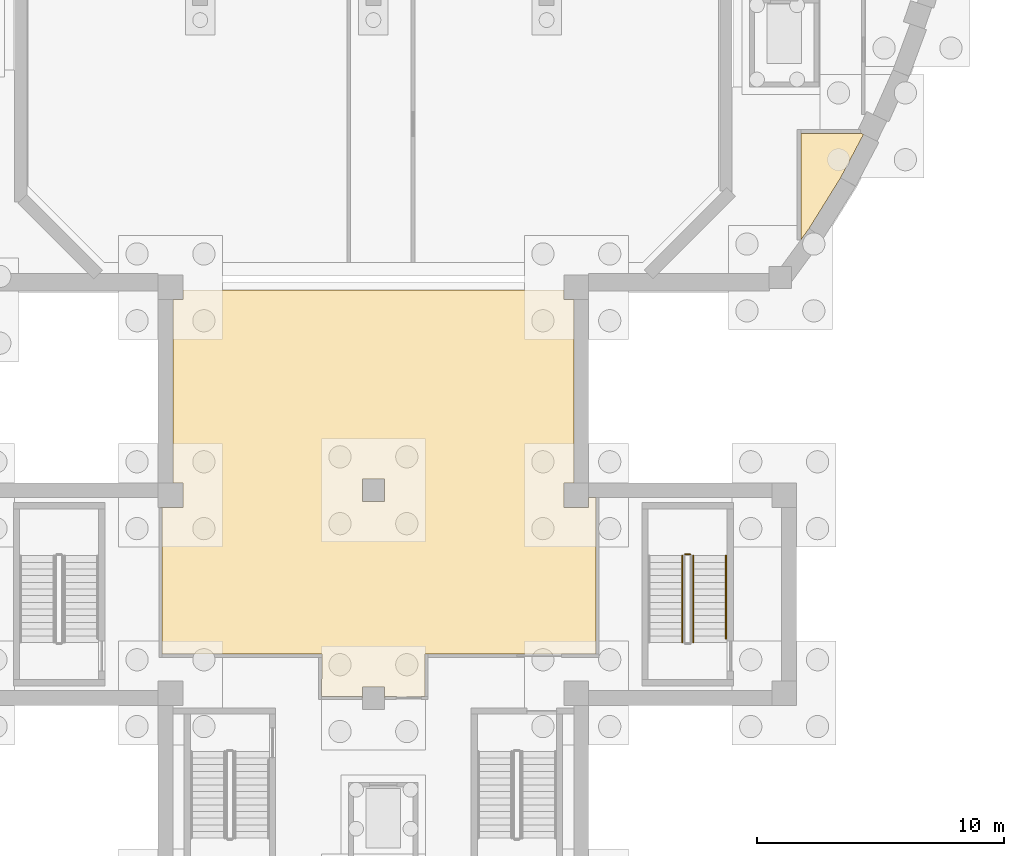
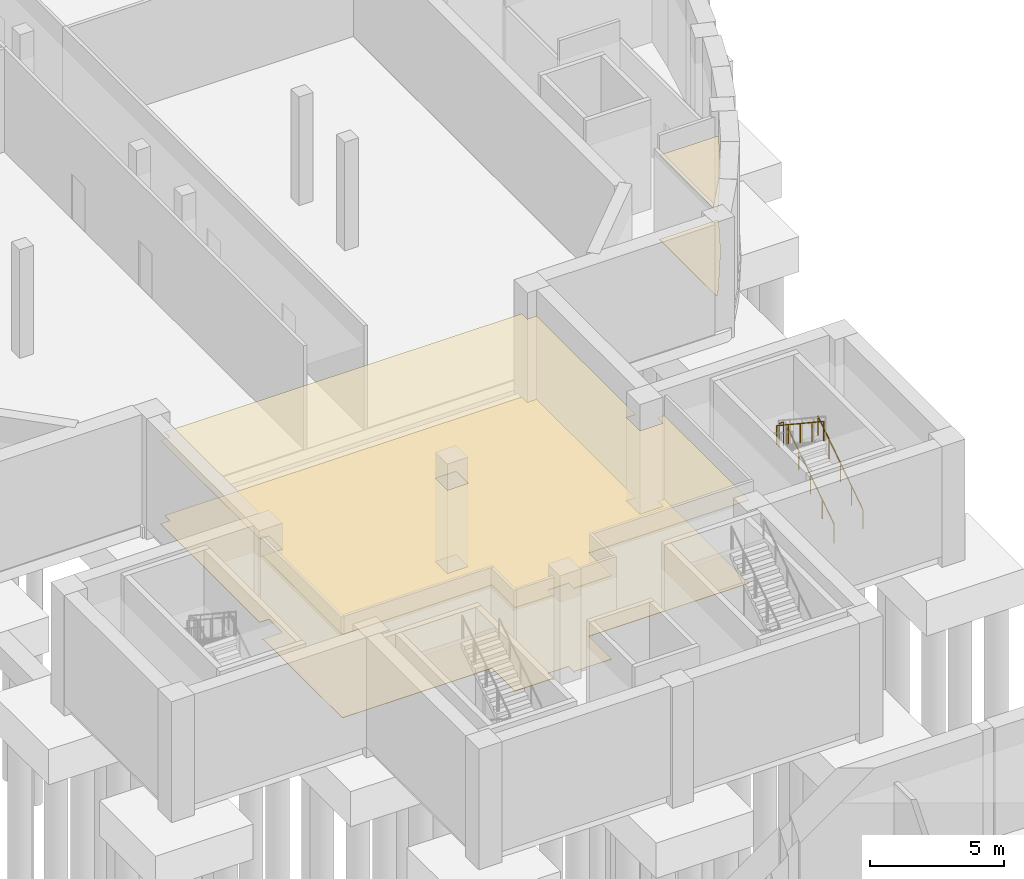
# One storey, part 23 of 33: 4 coverings, 4 railings.
"""IFC4 building model written with IfcOpenShell, lengths in metres."""

from ifc_helpers import new_model, si_unit, direction, frame, origin, origin_2d, place, context, subcontext, project, spatial, polyline, circle, outline, extrude, material, layer, layer_set, type_object, element, save


model = new_model("IFC4")

# Units and contexts
model_context = context("Model", 3, precision=1e-05, world=origin(), true_north=direction((0.0, 1.0)))
body_context = subcontext(model_context, "Body", "Model", "MODEL_VIEW")
ifc_project = project(units=[si_unit("LENGTHUNIT", "METRE"), si_unit("AREAUNIT", "SQUARE_METRE"), si_unit("VOLUMEUNIT", "CUBIC_METRE"), si_unit("PLANEANGLEUNIT", "RADIAN"), si_unit("MASSUNIT", "GRAM", prefix="KILO")], contexts=[model_context])

# Site, building, storey
site_placement = place(None, origin())
site = spatial("IfcSite", under=ifc_project, at=site_placement, CompositionType="ELEMENT")
building_placement = place(site_placement, origin())
building = spatial("IfcBuilding", under=site, at=building_placement, Name="Larchfold Concert Hall", CompositionType="ELEMENT")
storey_placement = place(building_placement, frame((0.0, 0.0, -5.0)))
storey = spatial("IfcBuildingStorey", under=building, at=storey_placement, Name="B1", CompositionType="ELEMENT", Elevation=-5.0)

# Coverings
ifc_material_1 = material(Name="Mineral fibre ceiling tile")
ifc_layer_1 = layer(ifc_material_1, 0.02001953125)
ifc_layer_set_1 = layer_set([ifc_layer_1], Name="Mineral fibre ceiling tile")
covering_type_1 = type_object("IfcCoveringType", Name="Ceiling mineral fibre tile 20", PredefinedType="CEILING", material=ifc_layer_set_1)
covering_1_placement = place(storey_placement, frame((0.0, 0.0, 3.830078125)))
element("IfcCovering", 1, at=covering_1_placement, inside=storey, type_object=covering_type_1, Name="Ceiling Hall Store 02", PredefinedType="CEILING", context=body_context, shape_type="SweptSolid", body=[
    extrude(outline(polyline([(62.2783203125, 65.425048828125), (59.875, 65.425048828125), (59.875, 61.122802734375), (60.201416015625, 61.568603515625), (61.48046875, 63.626708984375), (62.403076171875, 65.376220703125), (62.2783203125, 65.436767578125), (62.2783203125, 65.425048828125)])), origin(), (0.0, 0.0, 1.0), 0.02001953125),
])
ifc_material_2 = material(Name="Plasterboard ceiling lining")
ifc_layer_2 = layer(ifc_material_2, 0.030029296875)
ifc_layer_set_2 = layer_set([ifc_layer_2], Name="Plasterboard ceiling lining")
covering_type_2 = type_object("IfcCoveringType", Name="Ceiling suspended plasterboard 30", PredefinedType="CEILING", material=ifc_layer_set_2)
covering_2_placement = place(storey_placement, frame((0.0, 0.0, 3.7900390625)))
element("IfcCovering", 2, at=covering_2_placement, inside=storey, type_object=covering_type_2, Name="Ceiling Scenery Workshop", PredefinedType="CEILING", context=body_context, shape_type="SweptSolid", body=[
    extrude(outline(polyline([(34.064453125, 44.300537109375), (34.064453125, 44.37451171875), (40.515380859375, 44.37451171875), (40.515380859375, 44.24951171875), (40.452880859375, 44.24951171875), (40.515380859375, 44.249267578125), (40.51171875, 42.66259765625), (42.130126953125, 42.662841796875), (42.130126953125, 42.60009765625), (42.150146484375, 42.60009765625), (42.150146484375, 43.050048828125), (43.050048828125, 43.050048828125), (43.050048828125, 42.60009765625), (43.070068359375, 42.60009765625), (43.070068359375, 42.6630859375), (44.6884765625, 42.66357421875), (44.685302734375, 44.37451171875), (44.810302734375, 44.37451171875), (44.810546875, 44.300537109375), (44.810546875, 44.37451171875), (51.58837890625, 44.37451171875), (51.58837890625, 50.699951171875), (51.300048828125, 50.699951171875), (51.300048828125, 50.300048828125), (50.300048828125, 50.300048828125), (50.300048828125, 51.300048828125), (50.699951171875, 51.300048828125), (50.699951171875, 58.699951171875), (50.300048828125, 58.699951171875), (50.300048828125, 59.099853515625), (34.89990234375, 59.099853515625), (34.89990234375, 58.699951171875), (34.5, 58.699951171875), (34.5, 51.300048828125), (34.89990234375, 51.300048828125), (34.89990234375, 50.300048828125), (34.0, 50.300048828125), (34.0, 50.280029296875), (34.062744140625, 50.280029296875), (34.064453125, 44.300537109375)]), holes=[polyline([(42.150146484375, 51.449951171875), (43.050048828125, 51.449951171875), (43.050048828125, 50.550048828125), (42.150146484375, 50.550048828125), (42.150146484375, 51.449951171875)])]), origin(), (0.0, 0.0, 1.0), 0.030029296875),
])
ifc_material_3 = material(Name="Linoleum sheet")
ifc_layer_3 = layer(ifc_material_3, 0.02001953125)
ifc_layer_set_3 = layer_set([ifc_layer_3], Name="Linoleum sheet")
covering_type_3 = type_object("IfcCoveringType", Name="Floor finish vinyl 20", PredefinedType="FLOORING", material=ifc_layer_set_3)
covering_3_placement = place(storey_placement, origin())
element("IfcCovering", 3, at=covering_3_placement, inside=storey, type_object=covering_type_3, Name="Floor finish Hall Store 02", PredefinedType="FLOORING", context=body_context, shape_type="SweptSolid", body=[
    extrude(outline(polyline([(62.2783203125, 65.425048828125), (59.875, 65.425048828125), (59.875, 61.122802734375), (60.201416015625, 61.568603515625), (61.48046875, 63.626708984375), (62.403076171875, 65.376220703125), (62.2783203125, 65.436767578125), (62.2783203125, 65.425048828125)])), origin(), (0.0, 0.0, 1.0), 0.02001953125),
])
covering_4_placement = place(storey_placement, origin())
element("IfcCovering", 4, at=covering_4_placement, inside=storey, type_object=covering_type_3, Name="Floor finish Scenery Workshop", PredefinedType="FLOORING", context=body_context, shape_type="SweptSolid", body=[
    extrude(outline(polyline([(34.064453125, 44.300537109375), (34.064453125, 44.37451171875), (40.515380859375, 44.37451171875), (40.515380859375, 44.24951171875), (40.452880859375, 44.24951171875), (40.515380859375, 44.249267578125), (40.51171875, 42.66259765625), (42.130126953125, 42.662841796875), (42.130126953125, 42.60009765625), (42.150146484375, 42.60009765625), (42.150146484375, 43.050048828125), (43.050048828125, 43.050048828125), (43.050048828125, 42.60009765625), (43.070068359375, 42.60009765625), (43.070068359375, 42.6630859375), (44.6884765625, 42.66357421875), (44.685302734375, 44.37451171875), (44.810302734375, 44.37451171875), (44.810546875, 44.300537109375), (44.810546875, 44.37451171875), (51.58837890625, 44.37451171875), (51.58837890625, 50.699951171875), (51.300048828125, 50.699951171875), (51.300048828125, 50.300048828125), (50.300048828125, 50.300048828125), (50.300048828125, 51.300048828125), (50.699951171875, 51.300048828125), (50.699951171875, 58.699951171875), (50.300048828125, 58.699951171875), (50.300048828125, 59.099853515625), (34.89990234375, 59.099853515625), (34.89990234375, 58.699951171875), (34.5, 58.699951171875), (34.5, 51.300048828125), (34.89990234375, 51.300048828125), (34.89990234375, 50.300048828125), (34.0, 50.300048828125), (34.0, 50.280029296875), (34.062744140625, 50.280029296875), (34.064453125, 44.300537109375)]), holes=[polyline([(42.150146484375, 51.449951171875), (43.050048828125, 51.449951171875), (43.050048828125, 50.550048828125), (42.150146484375, 50.550048828125), (42.150146484375, 51.449951171875)])]), origin(), (0.0, 0.0, 1.0), 0.02001953125),
])

# Railings
ifc_material_4 = material(Name="Stainless steel balustrade", Category="steel")
railing_type_1 = type_object("IfcRailingType", Name="Stair guard 1100", PredefinedType="GUARDRAIL", material=ifc_material_4)
railing_1_placement = place(storey_placement, frame((55.39990234375, 48.41015625, 2.5)))
element("IfcRailing", 5, at=railing_1_placement, inside=storey, type_object=railing_type_1, Name="Guard GR0022", PredefinedType="GUARDRAIL", context=body_context, shape_type="SweptSolid", body=[
    extrude(circle(Radius=0.02392578125, at=origin_2d()), frame((0.0, 0.0, 1.076171875), z_axis=(-1.0, 0.0, 0.0), x_axis=(0.0, -1.0, 0.0)), (0.0, 0.0, 1.0), 0.199951171875),
    extrude(circle(Radius=0.02099609375, at=origin_2d()), origin(), (0.0, 0.0, 1.0), 1.052001953125),
    extrude(circle(Radius=0.02099609375, at=origin_2d()), frame((-0.199951171875, 0.0, 0.0)), (0.0, 0.0, 1.0), 1.052001953125),
])
ifc_material_5 = material(Name="Stainless steel handrail", Category="steel")
railing_type_2 = type_object("IfcRailingType", Name="Stair handrail 900", PredefinedType="HANDRAIL", material=ifc_material_5)
railing_2_placement = place(storey_placement, frame((56.849853515625, 45.000244140625, 0.27783203125)))
element("IfcRailing", 6, at=railing_2_placement, inside=storey, type_object=railing_type_2, Name="Handrail HR0021", PredefinedType="HANDRAIL", context=body_context, shape_type="SweptSolid", body=[
    extrude(circle(Radius=0.02392578125, at=origin_2d()), frame((0.0, 0.0, 0.8759765625), z_axis=(0.0, 0.83407738275, 0.551647459511), x_axis=(-1.0, 0.0, 0.0)), (0.0, 0.0, 1.0), 4.0283203125),
    extrude(circle(Radius=0.02099609375, at=origin_2d()), origin(), (0.0, 0.0, 1.0), 0.851806640625),
    extrude(circle(Radius=0.02099609375, at=origin_2d()), frame((0.0, 0.83984375, 0.5556640625)), (0.0, 0.0, 1.0), 0.851806640625),
    extrude(circle(Radius=0.02099609375, at=origin_2d()), frame((0.0, 1.679931640625, 1.111083984375)), (0.0, 0.0, 1.0), 0.851806640625),
    extrude(circle(Radius=0.02099609375, at=origin_2d()), frame((0.0, 2.52001953125, 1.66650390625)), (0.0, 0.0, 1.0), 0.851806640625),
    extrude(circle(Radius=0.02099609375, at=origin_2d()), frame((0.0, 3.35986328125, 2.22216796875)), (0.0, 0.0, 1.0), 0.851806640625),
])
railing_3_placement = place(storey_placement, frame((55.52001953125, 44.85009765625, 0.178466796875)))
element("IfcRailing", 7, at=railing_3_placement, inside=storey, type_object=railing_type_2, Name="Handrail HR0023", PredefinedType="HANDRAIL", context=body_context, shape_type="SweptSolid", body=[
    extrude(circle(Radius=0.02392578125, at=origin_2d()), frame((0.0, 0.0, 0.8759765625), z_axis=(0.0, 0.834070780157, 0.551657442339), x_axis=(-1.0, 0.0, 0.0)), (0.0, 0.0, 1.0), 4.208251953125),
    extrude(circle(Radius=0.02099609375, at=origin_2d()), origin(), (0.0, 0.0, 1.0), 0.851806640625),
    extrude(circle(Radius=0.02099609375, at=origin_2d()), frame((0.0, 0.87744140625, 0.580322265625)), (0.0, 0.0, 1.0), 0.851806640625),
    extrude(circle(Radius=0.02099609375, at=origin_2d()), frame((0.0, 1.7548828125, 1.16064453125)), (0.0, 0.0, 1.0), 0.851806640625),
    extrude(circle(Radius=0.02099609375, at=origin_2d()), frame((0.0, 2.632568359375, 1.7412109375)), (0.0, 0.0, 1.0), 0.851806640625),
    extrude(circle(Radius=0.02099609375, at=origin_2d()), frame((0.0, 3.510009765625, 2.321533203125)), (0.0, 0.0, 1.0), 0.851806640625),
])
railing_4_placement = place(storey_placement, frame((55.079833984375, 48.360107421875, 2.678466796875)))
element("IfcRailing", 8, at=railing_4_placement, inside=storey, type_object=railing_type_2, Name="Handrail HR0024", PredefinedType="HANDRAIL", context=body_context, shape_type="SweptSolid", body=[
    extrude(circle(Radius=0.02392578125, at=origin_2d()), frame((0.0, 0.0, 0.8759765625), z_axis=(0.0, -0.834070780157, 0.551657442339), x_axis=(1.0, 0.0, 0.0)), (0.0, 0.0, 1.0), 4.208251953125),
    extrude(circle(Radius=0.02099609375, at=origin_2d()), origin(), (0.0, 0.0, 1.0), 0.851806640625),
    extrude(circle(Radius=0.02099609375, at=origin_2d()), frame((0.0, -0.87744140625, 0.580322265625)), (0.0, 0.0, 1.0), 0.851806640625),
    extrude(circle(Radius=0.02099609375, at=origin_2d()), frame((0.0, -1.7548828125, 1.16064453125)), (0.0, 0.0, 1.0), 0.851806640625),
    extrude(circle(Radius=0.02099609375, at=origin_2d()), frame((0.0, -2.632568359375, 1.7412109375)), (0.0, 0.0, 1.0), 0.851806640625),
    extrude(circle(Radius=0.02099609375, at=origin_2d()), frame((0.0, -3.510009765625, 2.321533203125)), (0.0, 0.0, 1.0), 0.851806640625),
])

save(model, "model.ifc")
